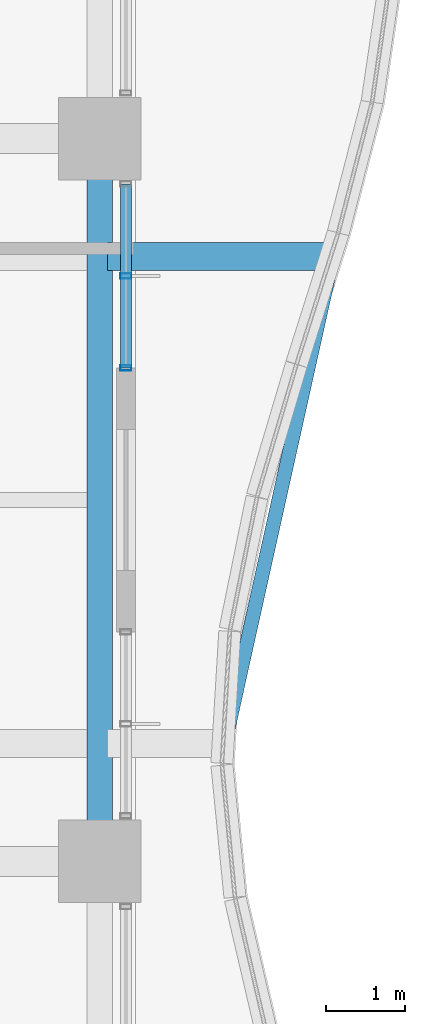
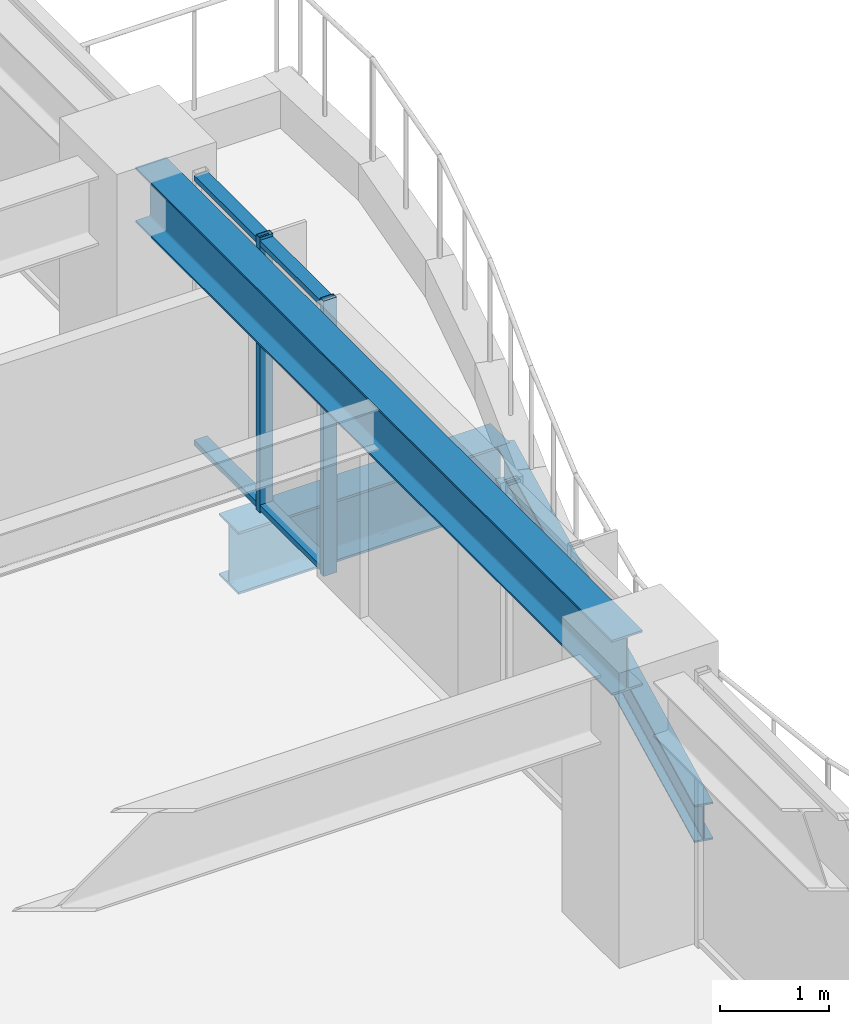
# One storey, part 17 of 36: 4 members, 3 beams, 1 element without a shape of its own.
"""IFC4 building model written with IfcOpenShell, lengths in metres."""

from ifc_helpers import new_model, si_unit, direction, frame, origin, origin_2d, place, context, subcontext, project, spatial, hollow_rectangle, i_section, extrude, material, material_profile, profile_set, type_object, element, aggregate, save


model = new_model("IFC4")

# Units and contexts
model_context = context("Model", 3, precision=1e-05, world=origin(), true_north=direction((0.0, 1.0)))
body_context = subcontext(model_context, "Body", "Model", "MODEL_VIEW")
ifc_project = project(units=[si_unit("LENGTHUNIT", "METRE"), si_unit("AREAUNIT", "SQUARE_METRE"), si_unit("VOLUMEUNIT", "CUBIC_METRE"), si_unit("PLANEANGLEUNIT", "RADIAN"), si_unit("MASSUNIT", "GRAM", prefix="KILO")], contexts=[model_context])

# Site, building, storey
site_placement = place(None, origin())
site = spatial("IfcSite", under=ifc_project, at=site_placement, CompositionType="ELEMENT")
building_placement = place(site_placement, origin())
building = spatial("IfcBuilding", under=site, at=building_placement, Name="Kolvaren Belvedere", CompositionType="ELEMENT")
storey_placement = place(building_placement, frame((0.0, 0.0, 88.699951171875)))
storey = spatial("IfcBuildingStorey", under=building, at=storey_placement, Name="L25", CompositionType="ELEMENT", Elevation=88.699951171875)

# Beams
ifc_material_1 = material(Name="Structural steel ASTM A992 Grade 50", Category="steel")
ifc_material_profile_1 = material_profile(ifc_material_1, i_section(OverallWidth=0.35498046875, OverallDepth=0.696044921875, WebThickness=0.015380859375, FlangeThickness=0.02490234375, FilletRadius=0.02197265625, at=origin_2d()), Name="W27X146")
ifc_profile_set_1 = profile_set([ifc_material_profile_1], Name="Structural steel ASTM A992 Grade 50")
beam_type_1 = type_object("IfcBeamType", Name="BM-CANT-BAL", PredefinedType="BEAM", material=ifc_profile_set_1)
beam_1_placement = place(storey_placement, frame((20.044921875, 3.10009765625, -0.56787109375), z_axis=(1.0, 0.0, 0.0), x_axis=(0.0, 1.0, 0.0)))
element("IfcBeam", 1, at=beam_1_placement, inside=storey, type_object=beam_type_1, Name="L25 Planted Balcony Cantilever BAL-E-2", PredefinedType="BEAM", context=body_context, shape_type="SweptSolid", body=[
    extrude(i_section(OverallWidth=0.35498046875, OverallDepth=0.696044921875, WebThickness=0.015380859375, FlangeThickness=0.02490234375, FilletRadius=0.02197265625, at=origin_2d()), origin(), (0.0, 0.0, 1.0), 2.8701171875),
])
ifc_material_2 = material(Name="Structural steel ASTM A992 Grade 50", Category="steel")
ifc_material_profile_2 = material_profile(ifc_material_2, i_section(OverallWidth=0.180908203125, OverallDepth=0.4169921875, WebThickness=0.010986328125, FlangeThickness=0.018310546875, FilletRadius=0.013916015625, at=origin_2d()), Name="W16X57")
ifc_profile_set_2 = profile_set([ifc_material_profile_2], Name="Structural steel ASTM A992 Grade 50")
beam_type_2 = type_object("IfcBeamType", Name="BM-EDGE-W16X57", PredefinedType="BEAM", material=ifc_profile_set_2)
beam_2_placement = place(storey_placement, frame((21.568115234375, -2.96337890625, -0.428466796875), z_axis=(0.216866590272, 0.97620125078, 0.0), x_axis=(-0.97620125078, 0.216866590272, 0.0)))
element("IfcBeam", 2, at=beam_2_placement, inside=storey, type_object=beam_type_2, Name="L25 Balcony Tip Header Beam BAL-E", PredefinedType="BEAM", context=body_context, shape_type="SweptSolid", body=[
    extrude(i_section(OverallWidth=0.180908203125, OverallDepth=0.4169921875, WebThickness=0.010986328125, FlangeThickness=0.018310546875, FilletRadius=0.013916015625, at=origin_2d()), origin(), (0.0, 0.0, 1.0), 6.0712890625),
])
ifc_material_3 = material(Name="Structural steel ASTM A992 Grade 50", Category="steel")
ifc_material_profile_3 = material_profile(ifc_material_3, i_section(OverallWidth=0.324951171875, OverallDepth=0.615966796875, WebThickness=0.013916015625, FlangeThickness=0.021484375, FilletRadius=0.02001953125, at=origin_2d()), Name="W24X117")
ifc_profile_set_3 = profile_set([ifc_material_profile_3], Name="Structural steel ASTM A992 Grade 50")
beam_type_3 = type_object("IfcBeamType", Name="BM-SPAN-W24X117", PredefinedType="SPANDREL", material=ifc_profile_set_3)
beam_3_placement = place(storey_placement, frame((19.949951171875, -4.36376953125, 2.77197265625), z_axis=(0.0, 1.0, 0.0), x_axis=(-1.0, 0.0, 0.0)))
element("IfcBeam", 3, at=beam_3_placement, inside=storey, type_object=beam_type_3, Name="L25 Perimeter Spandrel E2-E3", PredefinedType="SPANDREL", context=body_context, shape_type="SweptSolid", body=[
    extrude(i_section(OverallWidth=0.324951171875, OverallDepth=0.615966796875, WebThickness=0.013916015625, FlangeThickness=0.021484375, FilletRadius=0.02001953125, at=origin_2d()), origin(), (0.0, 0.0, 1.0), 8.7275390625),
])

# Curtain wall, members
ifc_material_4 = material(Name="Anodised pale-metal aluminium AA 6063-T6", Category="aluminium")
curtain_wall_type = type_object("IfcCurtainWallType", Name="CW-Z2-MID", PredefinedType="NOTDEFINED", material=ifc_material_4)
curtain_wall_placement = place(storey_placement, origin())
curtain_wall = element("IfcCurtainWall", 4, at=curtain_wall_placement, inside=storey, type_object=curtain_wall_type, Name="L25 Unitised Curtain Wall FCW-L25-E1-B2", PredefinedType="NOTDEFINED")
ifc_material_5 = material(Name="Anodised pale-metal aluminium AA 6063-T6", Category="aluminium")
ifc_material_profile_4 = material_profile(ifc_material_5, hollow_rectangle(XDim=0.06494140625, YDim=0.139892578125, WallThickness=0.00390625, at=origin_2d()), Name="ALU-MUL-140X65")
ifc_profile_set_4 = profile_set([ifc_material_profile_4], Name="Anodised pale-metal aluminium AA 6063-T6")
member_type_1 = type_object("IfcMemberType", Name="CW-MUL-140", PredefinedType="MULLION", material=ifc_profile_set_4)
member_1_placement = place(storey_placement, frame((20.280029296875, 2.851318359375, 0.0), z_axis=(0.0, 0.0, 1.0), x_axis=(0.0, 1.0, 0.0)))
member_1 = element("IfcMember", 5, at=member_1_placement, type_object=member_type_1, Name="FCW-L25-E1-B2 Unitised Mullion 2", PredefinedType="MULLION", context=body_context, shape_type="SweptSolid", body=[
    extrude(hollow_rectangle(XDim=0.06494140625, YDim=0.139892578125, WallThickness=0.00390625, at=origin_2d()), origin(), (0.0, 0.0, 1.0), 3.080078125),
])
member_2_placement = place(storey_placement, frame((20.280029296875, 1.679931640625, 0.0), z_axis=(0.0, 0.0, 1.0), x_axis=(0.0, 1.0, 0.0)))
member_2 = element("IfcMember", 6, at=member_2_placement, type_object=member_type_1, Name="FCW-L25-E1-B2 Unitised Mullion 3", PredefinedType="MULLION", context=body_context, shape_type="SweptSolid", body=[
    extrude(hollow_rectangle(XDim=0.06494140625, YDim=0.139892578125, WallThickness=0.00390625, at=origin_2d()), origin(), (0.0, 0.0, 1.0), 3.080078125),
])
ifc_material_6 = material(Name="Anodised pale-metal aluminium AA 6063-T6", Category="aluminium")
ifc_material_profile_5 = material_profile(ifc_material_6, hollow_rectangle(XDim=0.06005859375, YDim=0.139892578125, WallThickness=0.00390625, at=origin_2d()), Name="ALU-TRN-140X60")
ifc_profile_set_5 = profile_set([ifc_material_profile_5], Name="Anodised pale-metal aluminium AA 6063-T6")
member_type_2 = type_object("IfcMemberType", Name="CW-TRN-140", PredefinedType="USERDEFINED", material=ifc_profile_set_5)
member_3_placement = place(storey_placement, frame((20.280029296875, 4.0224609375, 0.06005859375), z_axis=(0.0, -1.0, 0.0), x_axis=(0.0, 0.0, 1.0)))
member_3 = element("IfcMember", 7, at=member_3_placement, type_object=member_type_2, Name="FCW-L25-E1-B2 Sill Transom", ObjectType="TRANSOM", PredefinedType="USERDEFINED", context=body_context, shape_type="SweptSolid", body=[
    extrude(hollow_rectangle(XDim=0.06005859375, YDim=0.139892578125, WallThickness=0.00390625, at=origin_2d()), origin(), (0.0, 0.0, 1.0), 2.342529296875),
])
member_4_placement = place(storey_placement, frame((20.280029296875, 4.0224609375, 3.02001953125), z_axis=(0.0, -1.0, 0.0), x_axis=(0.0, 0.0, 1.0)))
member_4 = element("IfcMember", 8, at=member_4_placement, type_object=member_type_2, Name="FCW-L25-E1-B2 Head Transom", ObjectType="TRANSOM", PredefinedType="USERDEFINED", context=body_context, shape_type="SweptSolid", body=[
    extrude(hollow_rectangle(XDim=0.06005859375, YDim=0.139892578125, WallThickness=0.00390625, at=origin_2d()), origin(), (0.0, 0.0, 1.0), 2.342529296875),
])
aggregate(curtain_wall, [member_1, member_2, member_3, member_4])

save(model, "model.ifc")
